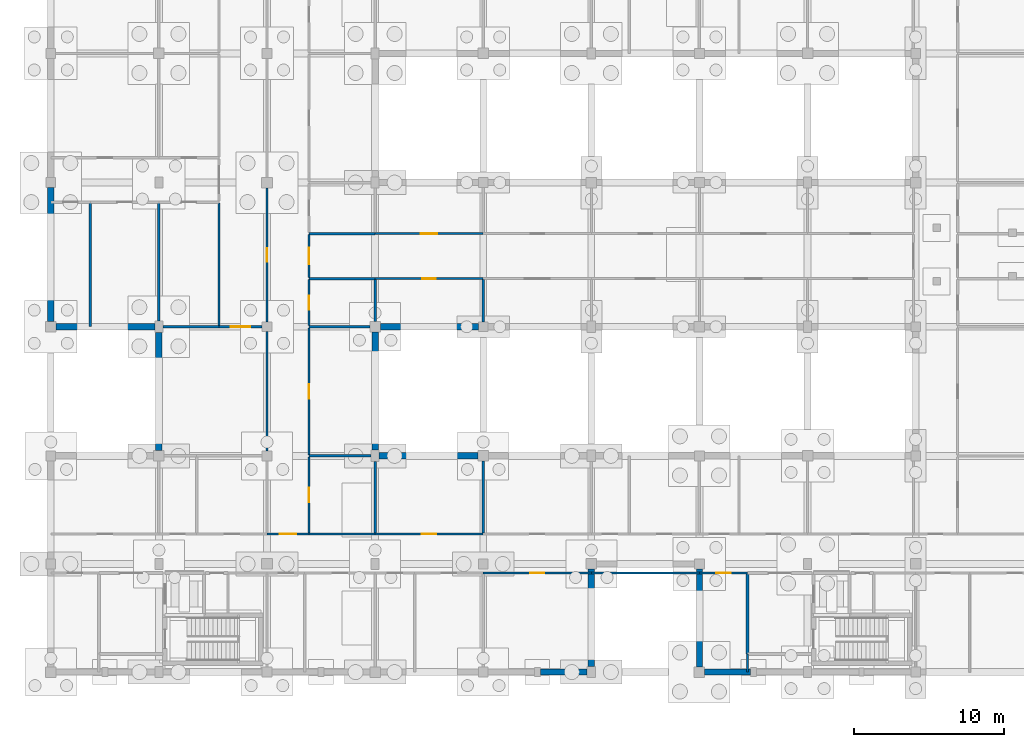
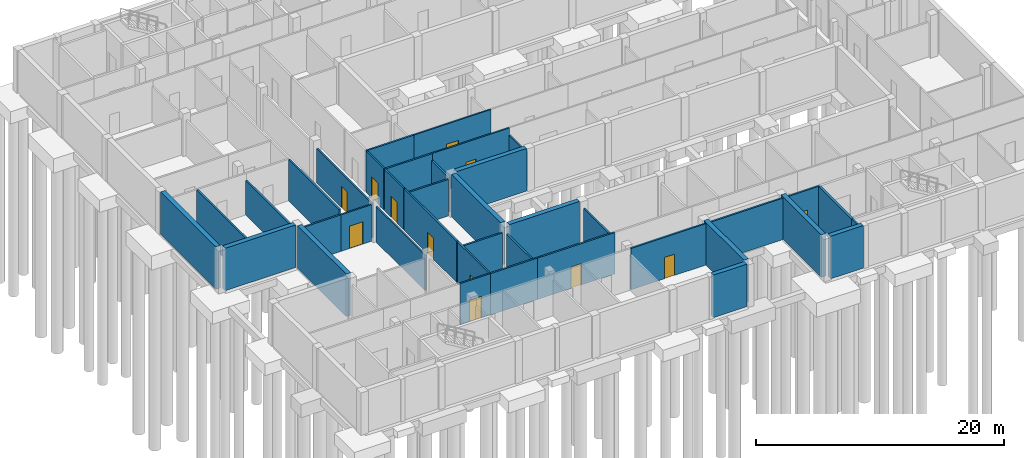
# One storey, part 8 of 17: 39 walls, 12 doors, 12 openings.
"""IFC4 building model written with IfcOpenShell, lengths in metres."""

from ifc_helpers import new_model, si_unit, direction, frame, frame_2d, origin, place, context, subcontext, project, spatial, rectangle, extrude, material, layer, layer_set, type_object, element, fill, save


model = new_model("IFC4")

# Units and contexts
model_context = context("Model", 3, precision=1e-05, world=origin(), true_north=direction((0.0, 1.0)))
body_context = subcontext(model_context, "Body", "Model", "MODEL_VIEW")
ifc_project = project(units=[si_unit("LENGTHUNIT", "METRE"), si_unit("AREAUNIT", "SQUARE_METRE"), si_unit("VOLUMEUNIT", "CUBIC_METRE"), si_unit("PLANEANGLEUNIT", "RADIAN"), si_unit("MASSUNIT", "GRAM", prefix="KILO")], contexts=[model_context])

# Site, building, storey
site_placement = place(None, origin())
site = spatial("IfcSite", under=ifc_project, at=site_placement, CompositionType="ELEMENT")
building_placement = place(site_placement, origin())
building = spatial("IfcBuilding", under=site, at=building_placement, Name="Hawrajan Terrace Health Centre", CompositionType="ELEMENT")
storey_placement = place(building_placement, frame((0.0, 0.0, -4.5)))
storey = spatial("IfcBuildingStorey", under=building, at=storey_placement, Name="B1", CompositionType="ELEMENT", Elevation=-4.5)

# Wall, opening, door
ifc_material_1 = material(Name="Gypsum board on acoustic stud framing")
ifc_layer_1 = layer(ifc_material_1, 0.139892578125)
ifc_layer_set_1 = layer_set([ifc_layer_1], Name="Gypsum board on acoustic stud framing")
wall_type_1 = type_object("IfcWallType", Name="ClinicalAcousticWall_140", PredefinedType="PARTITIONING", material=ifc_layer_set_1)
wall_1_placement = place(storey_placement, frame((15.800048828125, 27.199951171875, 0.0), z_axis=(0.0, 0.0, 1.0), x_axis=(1.0, 0.0, 0.0)))
wall_1 = element("IfcWall", 1, at=wall_1_placement, inside=storey, type_object=wall_type_1, Name="Interior wall IW-B1-0031", PredefinedType="PARTITIONING", context=body_context, shape_type="SweptSolid", body=[
    extrude(rectangle(XDim=2.875, YDim=0.139892578125, at=frame_2d((1.4375, 0.0))), origin(), (0.0, 0.0, 1.0), 3.60009765625),
])
opening_1_placement = place(wall_1_placement, frame((0.797607421875, 0.0, 0.0)))
opening_1 = element("IfcOpeningElement", 2, at=opening_1_placement, cuts=wall_1, Name="Opening D-B1-029", PredefinedType="OPENING", context=body_context, shape_type="SweptSolid", body=[
    extrude(rectangle(XDim=1.280029296875, YDim=2.199951171875, at=frame_2d((0.64013671875, 1.10009765625))), frame((0.0, 0.079833984375, 0.0), z_axis=(0.0, -1.0, 0.0), x_axis=(1.0, 0.0, 0.0)), (0.0, 0.0, 1.0), 0.159912109375),
])
ifc_material_2 = material(Name="Hardwood acoustic clinical door leaf and frame", Category="wood")
door_type_1 = type_object("IfcDoorType", Name="ExamSuiteDoor_1280x2200", OperationType="NOTDEFINED", PredefinedType="DOOR", material=ifc_material_2)
door_1_placement = place(opening_1_placement, origin())
door_1 = element("IfcDoor", 3, at=door_1_placement, inside=storey, type_object=door_type_1, Name="Interior door D-B1-029", OperationType="SINGLE_SWING_LEFT", OverallHeight=2.199951171875, OverallWidth=1.280029296875, PredefinedType="DOOR", context=body_context, shape_type="SweptSolid", body=[
    extrude(rectangle(XDim=1.280029296875, YDim=2.199951171875, at=frame_2d((0.64013671875, 1.10009765625))), frame((0.0, 0.02490234375, 0.0), z_axis=(0.0, -1.0, 0.0), x_axis=(1.0, 0.0, 0.0)), (0.0, 0.0, 1.0), 0.050048828125),
])
fill(opening_1, door_1)

wall_2_placement = place(storey_placement, frame((19.0, 13.39990234375, 0.0), z_axis=(0.0, 0.0, 1.0), x_axis=(1.0, 0.0, 0.0)))
wall_2 = element("IfcWall", 4, at=wall_2_placement, inside=storey, type_object=wall_type_1, Name="Interior wall IW-B1-0038", PredefinedType="PARTITIONING", context=body_context, shape_type="SweptSolid", body=[
    extrude(rectangle(XDim=2.800048828125, YDim=0.139892578125, at=frame_2d((1.39990234375, 0.0))), origin(), (0.0, 0.0, 1.0), 4.080078125),
])
opening_2_placement = place(wall_2_placement, frame((0.840087890625, 0.0, 0.0)))
opening_2 = element("IfcOpeningElement", 5, at=opening_2_placement, cuts=wall_2, Name="Opening D-B1-016", PredefinedType="OPENING", context=body_context, shape_type="SweptSolid", body=[
    extrude(rectangle(XDim=1.1201171875, YDim=2.14990234375, at=frame_2d((0.56005859375, 1.074951171875))), frame((0.0, 0.079833984375, 0.0), z_axis=(0.0, -1.0, 0.0), x_axis=(1.0, 0.0, 0.0)), (0.0, 0.0, 1.0), 0.159912109375),
])
door_type_2 = type_object("IfcDoorType", Name="DentalSurgeryDoor_1120x2150", OperationType="NOTDEFINED", PredefinedType="DOOR", material=ifc_material_2)
door_2_placement = place(opening_2_placement, origin())
door_2 = element("IfcDoor", 6, at=door_2_placement, inside=storey, type_object=door_type_2, Name="Interior door D-B1-016", OperationType="SINGLE_SWING_RIGHT", OverallHeight=2.14990234375, OverallWidth=1.1201171875, PredefinedType="DOOR", context=body_context, shape_type="SweptSolid", body=[
    extrude(rectangle(XDim=1.1201171875, YDim=2.14990234375, at=frame_2d((0.56005859375, 1.074951171875))), frame((0.0, 0.02490234375, 0.0), z_axis=(0.0, -1.0, 0.0), x_axis=(1.0, 0.0, 0.0)), (0.0, 0.0, 1.0), 0.050048828125),
])
fill(opening_2, door_2)

# Wall
wall_3_placement = place(storey_placement, frame((19.0, 18.925048828125, 0.0), z_axis=(0.0, 0.0, 1.0), x_axis=(0.0, 1.0, 0.0)))
element("IfcWall", 7, at=wall_3_placement, inside=storey, type_object=wall_type_1, Name="Interior wall IW-B1-0039", PredefinedType="PARTITIONING", context=body_context, shape_type="SweptSolid", body=[
    extrude(rectangle(XDim=7.949951171875, YDim=0.139892578125, at=frame_2d((3.97509765625, 0.0))), origin(), (0.0, 0.0, 1.0), 3.5),
])

# Wall, opening, door
wall_4_placement = place(storey_placement, frame((19.0, 27.52490234375, 0.0), z_axis=(0.0, 0.0, 1.0), x_axis=(0.0, 1.0, 0.0)))
wall_4 = element("IfcWall", 8, at=wall_4_placement, inside=storey, type_object=wall_type_1, Name="Interior wall IW-B1-0040", PredefinedType="PARTITIONING", context=body_context, shape_type="SweptSolid", body=[
    extrude(rectangle(XDim=8.925048828125, YDim=0.139892578125, at=frame_2d((4.46240234375, 0.0))), origin(), (0.0, 0.0, 1.0), 3.39990234375),
])
opening_3_placement = place(wall_4_placement, frame((4.012451171875, 0.0, 0.0)))
opening_3 = element("IfcOpeningElement", 9, at=opening_3_placement, cuts=wall_4, Name="Opening D-B1-015", PredefinedType="OPENING", context=body_context, shape_type="SweptSolid", body=[
    extrude(rectangle(XDim=0.89990234375, YDim=2.10009765625, at=frame_2d((0.449951171875, 1.050048828125))), frame((0.0, 0.079833984375, 0.0), z_axis=(0.0, -1.0, 0.0), x_axis=(1.0, 0.0, 0.0)), (0.0, 0.0, 1.0), 0.159912109375),
])
door_type_3 = type_object("IfcDoorType", Name="PatientWCDoor_900x2100", OperationType="NOTDEFINED", PredefinedType="DOOR", material=ifc_material_2)
door_3_placement = place(opening_3_placement, origin())
door_3 = element("IfcDoor", 10, at=door_3_placement, inside=storey, type_object=door_type_3, Name="Interior door D-B1-015", OperationType="SINGLE_SWING_LEFT", OverallHeight=2.10009765625, OverallWidth=0.89990234375, PredefinedType="DOOR", context=body_context, shape_type="SweptSolid", body=[
    extrude(rectangle(XDim=0.89990234375, YDim=2.10009765625, at=frame_2d((0.449951171875, 1.050048828125))), frame((0.0, 0.02490234375, 0.0), z_axis=(0.0, -1.0, 0.0), x_axis=(1.0, 0.0, 0.0)), (0.0, 0.0, 1.0), 0.050048828125),
])
fill(opening_3, door_3)

wall_5_placement = place(storey_placement, frame((21.800048828125, 30.469970703125, 0.0), z_axis=(0.0, 0.0, 1.0), x_axis=(0.0, 1.0, 0.0)))
wall_5 = element("IfcWall", 11, at=wall_5_placement, inside=storey, type_object=wall_type_1, Name="Interior wall IW-B1-0053", PredefinedType="PARTITIONING", context=body_context, shape_type="SweptSolid", body=[
    extrude(rectangle(XDim=2.860107421875, YDim=0.139892578125, at=frame_2d((1.43017578125, 0.0))), origin(), (0.0, 0.0, 1.0), 4.080078125),
])
opening_4_placement = place(wall_5_placement, frame((0.8798828125, 0.0, 0.0)))
opening_4 = element("IfcOpeningElement", 12, at=opening_4_placement, cuts=wall_5, Name="Opening D-B1-018", PredefinedType="OPENING", context=body_context, shape_type="SweptSolid", body=[
    extrude(rectangle(XDim=1.10009765625, YDim=2.10009765625, at=frame_2d((0.550048828125, 1.050048828125))), frame((0.0, 0.079833984375, 0.0), z_axis=(0.0, -1.0, 0.0), x_axis=(1.0, 0.0, 0.0)), (0.0, 0.0, 1.0), 0.159912109375),
])
door_type_4 = type_object("IfcDoorType", Name="ConsultDoor_1100x2100", OperationType="NOTDEFINED", PredefinedType="DOOR", material=ifc_material_2)
door_4_placement = place(opening_4_placement, origin())
door_4 = element("IfcDoor", 13, at=door_4_placement, inside=storey, type_object=door_type_4, Name="Interior door D-B1-018", OperationType="SINGLE_SWING_RIGHT", OverallHeight=2.10009765625, OverallWidth=1.10009765625, PredefinedType="DOOR", context=body_context, shape_type="SweptSolid", body=[
    extrude(rectangle(XDim=1.10009765625, YDim=2.10009765625, at=frame_2d((0.550048828125, 1.050048828125))), frame((0.0, 0.02490234375, 0.0), z_axis=(0.0, -1.0, 0.0), x_axis=(1.0, 0.0, 0.0)), (0.0, 0.0, 1.0), 0.050048828125),
])
fill(opening_4, door_4)

wall_6_placement = place(storey_placement, frame((26.199951171875, 30.39990234375, 0.0), z_axis=(0.0, 0.0, 1.0), x_axis=(1.0, 0.0, 0.0)))
wall_6 = element("IfcWall", 14, at=wall_6_placement, inside=storey, type_object=wall_type_1, Name="Interior wall IW-B1-0068", PredefinedType="PARTITIONING", context=body_context, shape_type="SweptSolid", body=[
    extrude(rectangle(XDim=7.199951171875, YDim=0.139892578125, at=frame_2d((3.60009765625, 0.0))), origin(), (0.0, 0.0, 1.0), 4.080078125),
])
opening_5_placement = place(wall_6_placement, frame((3.14990234375, 0.0, 0.0)))
opening_5 = element("IfcOpeningElement", 15, at=opening_5_placement, cuts=wall_6, Name="Opening D-B1-030", PredefinedType="OPENING", context=body_context, shape_type="SweptSolid", body=[
    extrude(rectangle(XDim=0.89990234375, YDim=2.10009765625, at=frame_2d((0.449951171875, 1.050048828125))), frame((0.0, 0.079833984375, 0.0), z_axis=(0.0, -1.0, 0.0), x_axis=(1.0, 0.0, 0.0)), (0.0, 0.0, 1.0), 0.159912109375),
])
door_5_placement = place(opening_5_placement, origin())
door_5 = element("IfcDoor", 16, at=door_5_placement, inside=storey, type_object=door_type_3, Name="Interior door D-B1-030", OperationType="SINGLE_SWING_RIGHT", OverallHeight=2.10009765625, OverallWidth=0.89990234375, PredefinedType="DOOR", context=body_context, shape_type="SweptSolid", body=[
    extrude(rectangle(XDim=0.89990234375, YDim=2.10009765625, at=frame_2d((0.449951171875, 1.050048828125))), frame((0.0, 0.02490234375, 0.0), z_axis=(0.0, -1.0, 0.0), x_axis=(1.0, 0.0, 0.0)), (0.0, 0.0, 1.0), 0.050048828125),
])
fill(opening_5, door_5)

wall_7_placement = place(storey_placement, frame((26.199951171875, 33.39990234375, 0.0), z_axis=(0.0, 0.0, 1.0), x_axis=(1.0, 0.0, 0.0)))
wall_7 = element("IfcWall", 17, at=wall_7_placement, inside=storey, type_object=wall_type_1, Name="Interior wall IW-B1-0070", PredefinedType="PARTITIONING", context=body_context, shape_type="SweptSolid", body=[
    extrude(rectangle(XDim=7.199951171875, YDim=0.139892578125, at=frame_2d((3.60009765625, 0.0))), origin(), (0.0, 0.0, 1.0), 4.080078125),
])
opening_6_placement = place(wall_7_placement, frame((3.050048828125, 0.0, 0.0)))
opening_6 = element("IfcOpeningElement", 18, at=opening_6_placement, cuts=wall_7, Name="Opening D-B1-031", PredefinedType="OPENING", context=body_context, shape_type="SweptSolid", body=[
    extrude(rectangle(XDim=1.10009765625, YDim=2.10009765625, at=frame_2d((0.550048828125, 1.050048828125))), frame((0.0, 0.079833984375, 0.0), z_axis=(0.0, -1.0, 0.0), x_axis=(1.0, 0.0, 0.0)), (0.0, 0.0, 1.0), 0.159912109375),
])
door_6_placement = place(opening_6_placement, origin())
door_6 = element("IfcDoor", 19, at=door_6_placement, inside=storey, type_object=door_type_4, Name="Interior door D-B1-031", OperationType="SINGLE_SWING_LEFT", OverallHeight=2.10009765625, OverallWidth=1.10009765625, PredefinedType="DOOR", context=body_context, shape_type="SweptSolid", body=[
    extrude(rectangle(XDim=1.10009765625, YDim=2.10009765625, at=frame_2d((0.550048828125, 1.050048828125))), frame((0.0, 0.02490234375, 0.0), z_axis=(0.0, -1.0, 0.0), x_axis=(1.0, 0.0, 0.0)), (0.0, 0.0, 1.0), 0.050048828125),
])
fill(opening_6, door_6)

# Walls
wall_8_placement = place(storey_placement, frame((33.39990234375, 27.52490234375, 0.0), z_axis=(0.0, 0.0, 1.0), x_axis=(0.0, 1.0, 0.0)))
element("IfcWall", 20, at=wall_8_placement, inside=storey, type_object=wall_type_1, Name="Interior wall IW-B1-0083", PredefinedType="PARTITIONING", context=body_context, shape_type="SweptSolid", body=[
    extrude(rectangle(XDim=2.80517578125, YDim=0.139892578125, at=frame_2d((1.402587890625, 0.0))), origin(), (0.0, 0.0, 1.0), 3.39990234375),
])
ifc_layer_2 = layer(ifc_material_1, 0.159912109375)
ifc_layer_set_2 = layer_set([ifc_layer_2], Name="Gypsum board on acoustic stud framing")
wall_type_2 = type_object("IfcWallType", Name="CorridorFireWall_160", PredefinedType="PARTITIONING", material=ifc_layer_set_2)
wall_9_placement = place(storey_placement, frame((7.235107421875, 27.199951171875, 0.0), z_axis=(0.0, 0.0, 1.0), x_axis=(0.0, 1.0, 0.0)))
element("IfcWall", 21, at=wall_9_placement, inside=storey, type_object=wall_type_2, Name="Interior wall IW-B1-0008", PredefinedType="PARTITIONING", context=body_context, shape_type="SweptSolid", body=[
    extrude(rectangle(XDim=8.22998046875, YDim=0.159912109375, at=frame_2d((4.114990234375, 0.0))), origin(), (0.0, 0.0, 1.0), 4.080078125),
])
wall_10_placement = place(storey_placement, frame((11.800048828125, 27.574951171875, 0.0), z_axis=(0.0, 0.0, 1.0), x_axis=(0.0, 1.0, 0.0)))
element("IfcWall", 22, at=wall_10_placement, inside=storey, type_object=wall_type_2, Name="Interior wall IW-B1-0017", PredefinedType="PARTITIONING", context=body_context, shape_type="SweptSolid", body=[
    extrude(rectangle(XDim=7.85498046875, YDim=0.159912109375, at=frame_2d((3.927490234375, 0.0))), origin(), (0.0, 0.0, 1.0), 3.39990234375),
])
wall_11_placement = place(storey_placement, frame((12.074951171875, 27.199951171875, 0.0), z_axis=(0.0, 0.0, 1.0), x_axis=(1.0, 0.0, 0.0)))
element("IfcWall", 23, at=wall_11_placement, inside=storey, type_object=wall_type_2, Name="Interior wall IW-B1-0018", PredefinedType="PARTITIONING", context=body_context, shape_type="SweptSolid", body=[
    extrude(rectangle(XDim=3.72509765625, YDim=0.159912109375, at=frame_2d((1.862548828125, 0.0))), origin(), (0.0, 0.0, 1.0), 3.60009765625),
])
wall_12_placement = place(storey_placement, frame((15.800048828125, 27.27001953125, 0.0), z_axis=(0.0, 0.0, 1.0), x_axis=(0.0, 1.0, 0.0)))
element("IfcWall", 24, at=wall_12_placement, inside=storey, type_object=wall_type_2, Name="Interior wall IW-B1-0030", PredefinedType="PARTITIONING", context=body_context, shape_type="SweptSolid", body=[
    extrude(rectangle(XDim=8.159912109375, YDim=0.159912109375, at=frame_2d((4.080078125, 0.0))), origin(), (0.0, 0.0, 1.0), 4.080078125),
])

# Wall, opening, door
wall_13_placement = place(storey_placement, frame((21.800048828125, 13.469970703125, 0.0), z_axis=(0.0, 0.0, 1.0), x_axis=(0.0, 1.0, 0.0)))
wall_13 = element("IfcWall", 25, at=wall_13_placement, inside=storey, type_object=wall_type_2, Name="Interior wall IW-B1-0047", PredefinedType="PARTITIONING", context=body_context, shape_type="SweptSolid", body=[
    extrude(rectangle(XDim=5.06005859375, YDim=0.159912109375, at=frame_2d((2.530029296875, 0.0))), origin(), (0.0, 0.0, 1.0), 4.080078125),
])
opening_7_placement = place(wall_13_placement, frame((2.050048828125, 0.0, 0.0)))
opening_7 = element("IfcOpeningElement", 26, at=opening_7_placement, cuts=wall_13, Name="Opening D-B1-083", PredefinedType="OPENING", context=body_context, shape_type="SweptSolid", body=[
    extrude(rectangle(XDim=0.9599609375, YDim=2.10009765625, at=frame_2d((0.47998046875, 1.050048828125))), frame((0.0, 0.08984375, 0.0), z_axis=(0.0, -1.0, 0.0), x_axis=(1.0, 0.0, 0.0)), (0.0, 0.0, 1.0), 0.179931640625),
])
ifc_material_3 = material(Name="Timber-veneered acoustic fire-resisting door assembly", Category="wood")
door_type_5 = type_object("IfcDoorType", Name="ClinicalFireDoor_960x2100", OperationType="NOTDEFINED", PredefinedType="DOOR", material=ifc_material_3)
door_7_placement = place(opening_7_placement, origin())
door_7 = element("IfcDoor", 27, at=door_7_placement, inside=storey, type_object=door_type_5, Name="Interior door D-B1-083", OperationType="SINGLE_SWING_LEFT", OverallHeight=2.10009765625, OverallWidth=0.9599609375, PredefinedType="DOOR", context=body_context, shape_type="SweptSolid", body=[
    extrude(rectangle(XDim=0.9599609375, YDim=2.10009765625, at=frame_2d((0.47998046875, 1.050048828125))), frame((0.0, 0.02490234375, 0.0), z_axis=(0.0, -1.0, 0.0), x_axis=(1.0, 0.0, 0.0)), (0.0, 0.0, 1.0), 0.050048828125),
])
fill(opening_7, door_7)

# Wall
wall_14_placement = place(storey_placement, frame((21.800048828125, 13.39990234375, 0.0), z_axis=(0.0, 0.0, 1.0), x_axis=(1.0, 0.0, 0.0)))
element("IfcWall", 28, at=wall_14_placement, inside=storey, type_object=wall_type_2, Name="Interior wall IW-B1-0048", PredefinedType="PARTITIONING", context=body_context, shape_type="SweptSolid", body=[
    extrude(rectangle(XDim=4.39990234375, YDim=0.159912109375, at=frame_2d((2.199951171875, 0.0))), origin(), (0.0, 0.0, 1.0), 4.080078125),
])

# Wall, opening, door
wall_15_placement = place(storey_placement, frame((21.800048828125, 18.669921875, 0.0), z_axis=(0.0, 0.0, 1.0), x_axis=(0.0, 1.0, 0.0)))
wall_15 = element("IfcWall", 29, at=wall_15_placement, inside=storey, type_object=wall_type_2, Name="Interior wall IW-B1-0049", PredefinedType="PARTITIONING", context=body_context, shape_type="SweptSolid", body=[
    extrude(rectangle(XDim=8.4599609375, YDim=0.159912109375, at=frame_2d((4.22998046875, 0.0))), origin(), (0.0, 0.0, 1.0), 4.080078125),
])
opening_8_placement = place(wall_15_placement, frame((3.75, 0.0, 0.0)))
opening_8 = element("IfcOpeningElement", 30, at=opening_8_placement, cuts=wall_15, Name="Opening D-B1-048", PredefinedType="OPENING", context=body_context, shape_type="SweptSolid", body=[
    extrude(rectangle(XDim=0.9599609375, YDim=2.10009765625, at=frame_2d((0.47998046875, 1.050048828125))), frame((0.0, 0.08984375, 0.0), z_axis=(0.0, -1.0, 0.0), x_axis=(1.0, 0.0, 0.0)), (0.0, 0.0, 1.0), 0.179931640625),
])
door_8_placement = place(opening_8_placement, origin())
door_8 = element("IfcDoor", 31, at=door_8_placement, inside=storey, type_object=door_type_5, Name="Interior door D-B1-048", OperationType="SINGLE_SWING_RIGHT", OverallHeight=2.10009765625, OverallWidth=0.9599609375, PredefinedType="DOOR", context=body_context, shape_type="SweptSolid", body=[
    extrude(rectangle(XDim=0.9599609375, YDim=2.10009765625, at=frame_2d((0.47998046875, 1.050048828125))), frame((0.0, 0.02490234375, 0.0), z_axis=(0.0, -1.0, 0.0), x_axis=(1.0, 0.0, 0.0)), (0.0, 0.0, 1.0), 0.050048828125),
])
fill(opening_8, door_8)

# Wall
wall_16_placement = place(storey_placement, frame((21.800048828125, 18.60009765625, 0.0), z_axis=(0.0, 0.0, 1.0), x_axis=(1.0, 0.0, 0.0)))
element("IfcWall", 32, at=wall_16_placement, inside=storey, type_object=wall_type_2, Name="Interior wall IW-B1-0050", PredefinedType="PARTITIONING", context=body_context, shape_type="SweptSolid", body=[
    extrude(rectangle(XDim=4.125, YDim=0.159912109375, at=frame_2d((2.0625, 0.0))), origin(), (0.0, 0.0, 1.0), 3.5),
])

# Wall, opening, door
wall_17_placement = place(storey_placement, frame((21.800048828125, 27.27001953125, 0.0), z_axis=(0.0, 0.0, 1.0), x_axis=(0.0, 1.0, 0.0)))
wall_17 = element("IfcWall", 33, at=wall_17_placement, inside=storey, type_object=wall_type_2, Name="Interior wall IW-B1-0051", PredefinedType="PARTITIONING", context=body_context, shape_type="SweptSolid", body=[
    extrude(rectangle(XDim=3.06005859375, YDim=0.159912109375, at=frame_2d((1.530029296875, 0.0))), origin(), (0.0, 0.0, 1.0), 4.080078125),
])
opening_9_placement = place(wall_17_placement, frame((1.050048828125, 0.0, 0.0)))
opening_9 = element("IfcOpeningElement", 34, at=opening_9_placement, cuts=wall_17, Name="Opening D-B1-049", PredefinedType="OPENING", context=body_context, shape_type="SweptSolid", body=[
    extrude(rectangle(XDim=0.9599609375, YDim=2.10009765625, at=frame_2d((0.47998046875, 1.050048828125))), frame((0.0, 0.08984375, 0.0), z_axis=(0.0, -1.0, 0.0), x_axis=(1.0, 0.0, 0.0)), (0.0, 0.0, 1.0), 0.179931640625),
])
door_9_placement = place(opening_9_placement, origin())
door_9 = element("IfcDoor", 35, at=door_9_placement, inside=storey, type_object=door_type_5, Name="Interior door D-B1-049", OperationType="SINGLE_SWING_LEFT", OverallHeight=2.10009765625, OverallWidth=0.9599609375, PredefinedType="DOOR", context=body_context, shape_type="SweptSolid", body=[
    extrude(rectangle(XDim=0.9599609375, YDim=2.10009765625, at=frame_2d((0.47998046875, 1.050048828125))), frame((0.0, 0.02490234375, 0.0), z_axis=(0.0, -1.0, 0.0), x_axis=(1.0, 0.0, 0.0)), (0.0, 0.0, 1.0), 0.050048828125),
])
fill(opening_9, door_9)

# Walls
wall_18_placement = place(storey_placement, frame((21.800048828125, 27.199951171875, 0.0), z_axis=(0.0, 0.0, 1.0), x_axis=(1.0, 0.0, 0.0)))
element("IfcWall", 36, at=wall_18_placement, inside=storey, type_object=wall_type_2, Name="Interior wall IW-B1-0052", PredefinedType="PARTITIONING", context=body_context, shape_type="SweptSolid", body=[
    extrude(rectangle(XDim=4.050048828125, YDim=0.159912109375, at=frame_2d((2.02490234375, 0.0))), origin(), (0.0, 0.0, 1.0), 3.60009765625),
])
for number, where, z_axis, x_axis, name in (
    (37, (21.800048828125, 30.39990234375, 0.0), (0.0, 0.0, 1.0), (1.0, 0.0, 0.0), "Interior wall IW-B1-0054"),
    (38, (21.800048828125, 33.39990234375, 0.0), (0.0, 0.0, 1.0), (1.0, 0.0, 0.0), "Interior wall IW-B1-0056"),
):
    element("IfcWall", number, at=place(storey_placement, frame(where, z_axis=z_axis, x_axis=x_axis)), inside=storey, type_object=wall_type_2, Name=name, PredefinedType="PARTITIONING", context=body_context, shape_type="SweptSolid", body=[
        extrude(rectangle(XDim=4.39990234375, YDim=0.159912109375, at=frame_2d((2.199951171875, 0.0))), origin(), (0.0, 0.0, 1.0), 4.080078125),
    ])
wall_19_placement = place(storey_placement, frame((26.199951171875, 13.469970703125, 0.0), z_axis=(0.0, 0.0, 1.0), x_axis=(0.0, 1.0, 0.0)))
element("IfcWall", 39, at=wall_19_placement, inside=storey, type_object=wall_type_2, Name="Interior wall IW-B1-0065", PredefinedType="PARTITIONING", context=body_context, shape_type="SweptSolid", body=[
    extrude(rectangle(XDim=4.755126953125, YDim=0.159912109375, at=frame_2d((2.37744140625, 0.0))), origin(), (0.0, 0.0, 1.0), 3.5),
])

# Wall, opening, door
wall_20_placement = place(storey_placement, frame((26.199951171875, 13.39990234375, 0.0), z_axis=(0.0, 0.0, 1.0), x_axis=(1.0, 0.0, 0.0)))
wall_20 = element("IfcWall", 40, at=wall_20_placement, inside=storey, type_object=wall_type_2, Name="Interior wall IW-B1-0066", PredefinedType="PARTITIONING", context=body_context, shape_type="SweptSolid", body=[
    extrude(rectangle(XDim=7.199951171875, YDim=0.159912109375, at=frame_2d((3.60009765625, 0.0))), origin(), (0.0, 0.0, 1.0), 4.080078125),
])
opening_10_placement = place(wall_20_placement, frame((3.1201171875, 0.0, 0.0)))
opening_10 = element("IfcOpeningElement", 41, at=opening_10_placement, cuts=wall_20, Name="Opening D-B1-086", PredefinedType="OPENING", context=body_context, shape_type="SweptSolid", body=[
    extrude(rectangle(XDim=0.9599609375, YDim=2.10009765625, at=frame_2d((0.47998046875, 1.050048828125))), frame((0.0, 0.08984375, 0.0), z_axis=(0.0, -1.0, 0.0), x_axis=(1.0, 0.0, 0.0)), (0.0, 0.0, 1.0), 0.179931640625),
])
door_10_placement = place(opening_10_placement, origin())
door_10 = element("IfcDoor", 42, at=door_10_placement, inside=storey, type_object=door_type_5, Name="Interior door D-B1-086", OperationType="SINGLE_SWING_RIGHT", OverallHeight=2.10009765625, OverallWidth=0.9599609375, PredefinedType="DOOR", context=body_context, shape_type="SweptSolid", body=[
    extrude(rectangle(XDim=0.9599609375, YDim=2.10009765625, at=frame_2d((0.47998046875, 1.050048828125))), frame((0.0, 0.02490234375, 0.0), z_axis=(0.0, -1.0, 0.0), x_axis=(1.0, 0.0, 0.0)), (0.0, 0.0, 1.0), 0.050048828125),
])
fill(opening_10, door_10)

# Wall
wall_21_placement = place(storey_placement, frame((26.199951171875, 27.550048828125, 0.0), z_axis=(0.0, 0.0, 1.0), x_axis=(0.0, 1.0, 0.0)))
element("IfcWall", 43, at=wall_21_placement, inside=storey, type_object=wall_type_2, Name="Interior wall IW-B1-0067", PredefinedType="PARTITIONING", context=body_context, shape_type="SweptSolid", body=[
    extrude(rectangle(XDim=2.780029296875, YDim=0.159912109375, at=frame_2d((1.39013671875, 0.0))), origin(), (0.0, 0.0, 1.0), 3.39990234375),
])

# Wall, opening, door
wall_22_placement = place(storey_placement, frame((33.39990234375, 10.800048828125, 0.0), z_axis=(0.0, 0.0, 1.0), x_axis=(1.0, 0.0, 0.0)))
wall_22 = element("IfcWall", 44, at=wall_22_placement, inside=storey, type_object=wall_type_2, Name="Interior wall IW-B1-0080", PredefinedType="PARTITIONING", context=body_context, shape_type="SweptSolid", body=[
    extrude(rectangle(XDim=7.2001953125, YDim=0.159912109375, at=frame_2d((3.60009765625, 0.0))), origin(), (0.0, 0.0, 1.0), 4.080078125),
])
opening_11_placement = place(wall_22_placement, frame((3.1201171875, 0.0, 0.0)))
opening_11 = element("IfcOpeningElement", 45, at=opening_11_placement, cuts=wall_22, Name="Opening D-B1-087", PredefinedType="OPENING", context=body_context, shape_type="SweptSolid", body=[
    extrude(rectangle(XDim=0.9599609375, YDim=2.10009765625, at=frame_2d((0.47998046875, 1.050048828125))), frame((0.0, 0.08984375, 0.0), z_axis=(0.0, -1.0, 0.0), x_axis=(1.0, 0.0, 0.0)), (0.0, 0.0, 1.0), 0.179931640625),
])
door_11_placement = place(opening_11_placement, origin())
door_11 = element("IfcDoor", 46, at=door_11_placement, inside=storey, type_object=door_type_5, Name="Interior door D-B1-087", OperationType="SINGLE_SWING_LEFT", OverallHeight=2.10009765625, OverallWidth=0.9599609375, PredefinedType="DOOR", context=body_context, shape_type="SweptSolid", body=[
    extrude(rectangle(XDim=0.9599609375, YDim=2.10009765625, at=frame_2d((0.47998046875, 1.050048828125))), frame((0.0, 0.02490234375, 0.0), z_axis=(0.0, -1.0, 0.0), x_axis=(1.0, 0.0, 0.0)), (0.0, 0.0, 1.0), 0.050048828125),
])
fill(opening_11, door_11)

# Wall
wall_23_placement = place(storey_placement, frame((33.39990234375, 13.469970703125, 0.0), z_axis=(0.0, 0.0, 1.0), x_axis=(0.0, 1.0, 0.0)))
element("IfcWall", 47, at=wall_23_placement, inside=storey, type_object=wall_type_2, Name="Interior wall IW-B1-0081", PredefinedType="PARTITIONING", context=body_context, shape_type="SweptSolid", body=[
    extrude(rectangle(XDim=4.780029296875, YDim=0.159912109375, at=frame_2d((2.39013671875, 0.0))), origin(), (0.0, 0.0, 1.0), 3.5),
])

# Wall, opening, door
wall_24_placement = place(storey_placement, frame((47.800048828125, 10.800048828125, 0.0), z_axis=(0.0, 0.0, 1.0), x_axis=(1.0, 0.0, 0.0)))
wall_24 = element("IfcWall", 48, at=wall_24_placement, inside=storey, type_object=wall_type_2, Name="Interior wall IW-B1-0109", PredefinedType="PARTITIONING", context=body_context, shape_type="SweptSolid", body=[
    extrude(rectangle(XDim=3.199951171875, YDim=0.159912109375, at=frame_2d((1.60009765625, 0.0))), origin(), (0.0, 0.0, 1.0), 4.080078125),
])
opening_12_placement = place(wall_24_placement, frame((1.1201171875, 0.0, 0.0)))
opening_12 = element("IfcOpeningElement", 49, at=opening_12_placement, cuts=wall_24, Name="Opening D-B1-068", PredefinedType="OPENING", context=body_context, shape_type="SweptSolid", body=[
    extrude(rectangle(XDim=0.9599609375, YDim=2.10009765625, at=frame_2d((0.47998046875, 1.050048828125))), frame((0.0, 0.08984375, 0.0), z_axis=(0.0, -1.0, 0.0), x_axis=(1.0, 0.0, 0.0)), (0.0, 0.0, 1.0), 0.179931640625),
])
door_12_placement = place(opening_12_placement, origin())
door_12 = element("IfcDoor", 50, at=door_12_placement, inside=storey, type_object=door_type_5, Name="Interior door D-B1-068", OperationType="SINGLE_SWING_RIGHT", OverallHeight=2.10009765625, OverallWidth=0.9599609375, PredefinedType="DOOR", context=body_context, shape_type="SweptSolid", body=[
    extrude(rectangle(XDim=0.9599609375, YDim=2.10009765625, at=frame_2d((0.47998046875, 1.050048828125))), frame((0.0, 0.02490234375, 0.0), z_axis=(0.0, -1.0, 0.0), x_axis=(1.0, 0.0, 0.0)), (0.0, 0.0, 1.0), 0.050048828125),
])
fill(opening_12, door_12)

# Walls
wall_25_placement = place(storey_placement, frame((40.60009765625, 10.800048828125, 0.0), z_axis=(0.0, 0.0, 1.0), x_axis=(1.0, 0.0, 0.0)))
element("IfcWall", 51, at=wall_25_placement, inside=storey, type_object=wall_type_2, Name="Interior wall IW-B1-0186", PredefinedType="PARTITIONING", context=body_context, shape_type="SweptSolid", body=[
    extrude(rectangle(XDim=7.199951171875, YDim=0.159912109375, at=frame_2d((3.60009765625, 0.0))), origin(), (0.0, 0.0, 1.0), 4.080078125),
])
wall_26_placement = place(storey_placement, frame((51.0, 4.199951171875, 0.0), z_axis=(0.0, 0.0, 1.0), x_axis=(0.0, 1.0, 0.0)))
element("IfcWall", 52, at=wall_26_placement, inside=storey, type_object=wall_type_2, Name="Interior wall IW-B1-0195", PredefinedType="PARTITIONING", context=body_context, shape_type="SweptSolid", body=[
    extrude(rectangle(XDim=1.199951171875, YDim=0.159912109375, at=frame_2d((0.60009765625, 0.0))), origin(), (0.0, 0.0, 1.0), 4.080078125),
])
ifc_material_4 = material(Name="Cross-laminated timber CLT C24", Category="wood")
ifc_layer_3 = layer(ifc_material_4, 0.199951171875)
ifc_layer_set_3 = layer_set([ifc_layer_3], Name="Cross-laminated timber CLT C24")
wall_type_3 = type_object("IfcWallType", Name="FireCompartmentWall_200", PredefinedType="PARTITIONING", material=ifc_layer_set_3)
wall_27_placement = place(storey_placement, frame((51.0, 5.39990234375, 0.0), z_axis=(0.0, 0.0, 1.0), x_axis=(0.0, 1.0, 0.0)))
element("IfcWall", 53, at=wall_27_placement, inside=storey, type_object=wall_type_3, Name="Interior wall IW-B1-0123", PredefinedType="PARTITIONING", context=body_context, shape_type="SweptSolid", body=[
    extrude(rectangle(XDim=5.330078125, YDim=0.199951171875, at=frame_2d((2.6650390625, 0.0))), origin(), (0.0, 0.0, 1.0), 4.080078125),
])
ifc_material_5 = material(Name="Concrete C40/50", Category="concrete")
ifc_layer_4 = layer(ifc_material_5, 0.419921875)
ifc_layer_set_4 = layer_set([ifc_layer_4], Name="Concrete C40/50")
wall_type_4 = type_object("IfcWallType", Name="RetainingWall_RC420", PredefinedType="USERDEFINED", material=ifc_layer_set_4)
wall_28_placement = place(storey_placement, frame((4.949951171875, 27.199951171875, 0.0), z_axis=(0.0, 0.0, 1.0), x_axis=(1.0, 0.0, 0.0)))
element("IfcWall", 54, at=wall_28_placement, inside=storey, type_object=wall_type_4, Name="Exterior wall EW-B1-H00-03-1", ObjectType="RETAINING WALL", PredefinedType="USERDEFINED", context=body_context, shape_type="SweptSolid", body=[
    extrude(rectangle(XDim=6.574951171875, YDim=0.419921875, at=frame_2d((3.28759765625, 0.0))), origin(), (0.0, 0.0, 1.0), 4.199951171875),
])
wall_29_placement = place(storey_placement, frame((4.60009765625, 27.550048828125, 0.0), z_axis=(0.0, 0.0, 1.0), x_axis=(0.0, 1.0, 0.0)))
element("IfcWall", 55, at=wall_29_placement, inside=storey, type_object=wall_type_4, Name="Exterior wall EW-B1-V00-03-1", ObjectType="RETAINING WALL", PredefinedType="USERDEFINED", context=body_context, shape_type="SweptSolid", body=[
    extrude(rectangle(XDim=8.925048828125, YDim=0.419921875, at=frame_2d((4.46240234375, 0.0))), origin(), (0.0, 0.0, 1.0), 4.199951171875),
])
for number, where, z_axis, x_axis, name in (
    (56, (11.800048828125, 18.949951171875, 0.0), (0.0, 0.0, 1.0), (0.0, 1.0, 0.0), "Exterior wall EW-B1-V01-02-1"),
    (57, (26.199951171875, 18.97509765625, 0.0), (0.0, 0.0, 1.0), (0.0, 1.0, 0.0), "Exterior wall EW-B1-V03-02-1"),
):
    element("IfcWall", number, at=place(storey_placement, frame(where, z_axis=z_axis, x_axis=x_axis)), inside=storey, type_object=wall_type_4, Name=name, ObjectType="RETAINING WALL", PredefinedType="USERDEFINED", context=body_context, shape_type="SweptSolid", body=[
        extrude(rectangle(XDim=7.875, YDim=0.419921875, at=frame_2d((3.9375, 0.0))), origin(), (0.0, 0.0, 1.0), 4.199951171875),
    ])
wall_30_placement = place(storey_placement, frame((26.47509765625, 18.60009765625, 0.0), z_axis=(0.0, 0.0, 1.0), x_axis=(1.0, 0.0, 0.0)))
element("IfcWall", 58, at=wall_30_placement, inside=storey, type_object=wall_type_4, Name="Exterior wall EW-B1-H03-02-1", ObjectType="RETAINING WALL", PredefinedType="USERDEFINED", context=body_context, shape_type="SweptSolid", body=[
    extrude(rectangle(XDim=6.574951171875, YDim=0.419921875, at=frame_2d((3.28759765625, 0.0))), origin(), (0.0, 0.0, 1.0), 4.199951171875),
])
wall_31_placement = place(storey_placement, frame((26.550048828125, 27.199951171875, 0.0), z_axis=(0.0, 0.0, 1.0), x_axis=(1.0, 0.0, 0.0)))
element("IfcWall", 59, at=wall_31_placement, inside=storey, type_object=wall_type_4, Name="Exterior wall EW-B1-H03-03-1", ObjectType="RETAINING WALL", PredefinedType="USERDEFINED", context=body_context, shape_type="SweptSolid", body=[
    extrude(rectangle(XDim=6.52490234375, YDim=0.419921875, at=frame_2d((3.262451171875, 0.0))), origin(), (0.0, 0.0, 1.0), 4.199951171875),
])
wall_32_placement = place(storey_placement, frame((37.199951171875, 4.199951171875, 0.0), z_axis=(0.0, 0.0, 1.0), x_axis=(1.0, 0.0, 0.0)))
element("IfcWall", 60, at=wall_32_placement, inside=storey, type_object=wall_type_4, Name="Exterior wall EW-B1-H04-00-2", ObjectType="RETAINING WALL", PredefinedType="USERDEFINED", context=body_context, shape_type="SweptSolid", body=[
    extrude(rectangle(XDim=3.125, YDim=0.419921875, at=frame_2d((1.5625, 0.0))), origin(), (0.0, 0.0, 1.0), 4.199951171875),
])
wall_33_placement = place(storey_placement, frame((40.60009765625, 4.574951171875, 0.0), z_axis=(0.0, 0.0, 1.0), x_axis=(0.0, 1.0, 0.0)))
element("IfcWall", 61, at=wall_33_placement, inside=storey, type_object=wall_type_4, Name="Exterior wall EW-B1-V05-00-1", ObjectType="RETAINING WALL", PredefinedType="USERDEFINED", context=body_context, shape_type="SweptSolid", body=[
    extrude(rectangle(XDim=6.47509765625, YDim=0.419921875, at=frame_2d((3.237548828125, 0.0))), origin(), (0.0, 0.0, 1.0), 4.199951171875),
])
wall_34_placement = place(storey_placement, frame((48.14990234375, 4.199951171875, 0.0), z_axis=(0.0, 0.0, 1.0), x_axis=(1.0, 0.0, 0.0)))
element("IfcWall", 62, at=wall_34_placement, inside=storey, type_object=wall_type_4, Name="Exterior wall EW-B1-H06-00-1", ObjectType="RETAINING WALL", PredefinedType="USERDEFINED", context=body_context, shape_type="SweptSolid", body=[
    extrude(rectangle(XDim=3.050048828125, YDim=0.419921875, at=frame_2d((1.52490234375, 0.0))), origin(), (0.0, 0.0, 1.0), 4.199951171875),
])
wall_35_placement = place(storey_placement, frame((47.800048828125, 4.550048828125, 0.0), z_axis=(0.0, 0.0, 1.0), x_axis=(0.0, 1.0, 0.0)))
element("IfcWall", 63, at=wall_35_placement, inside=storey, type_object=wall_type_4, Name="Exterior wall EW-B1-V06-00-1", ObjectType="RETAINING WALL", PredefinedType="USERDEFINED", context=body_context, shape_type="SweptSolid", body=[
    extrude(rectangle(XDim=6.52490234375, YDim=0.419921875, at=frame_2d((3.262451171875, 0.0))), origin(), (0.0, 0.0, 1.0), 4.199951171875),
])

save(model, "model.ifc")
